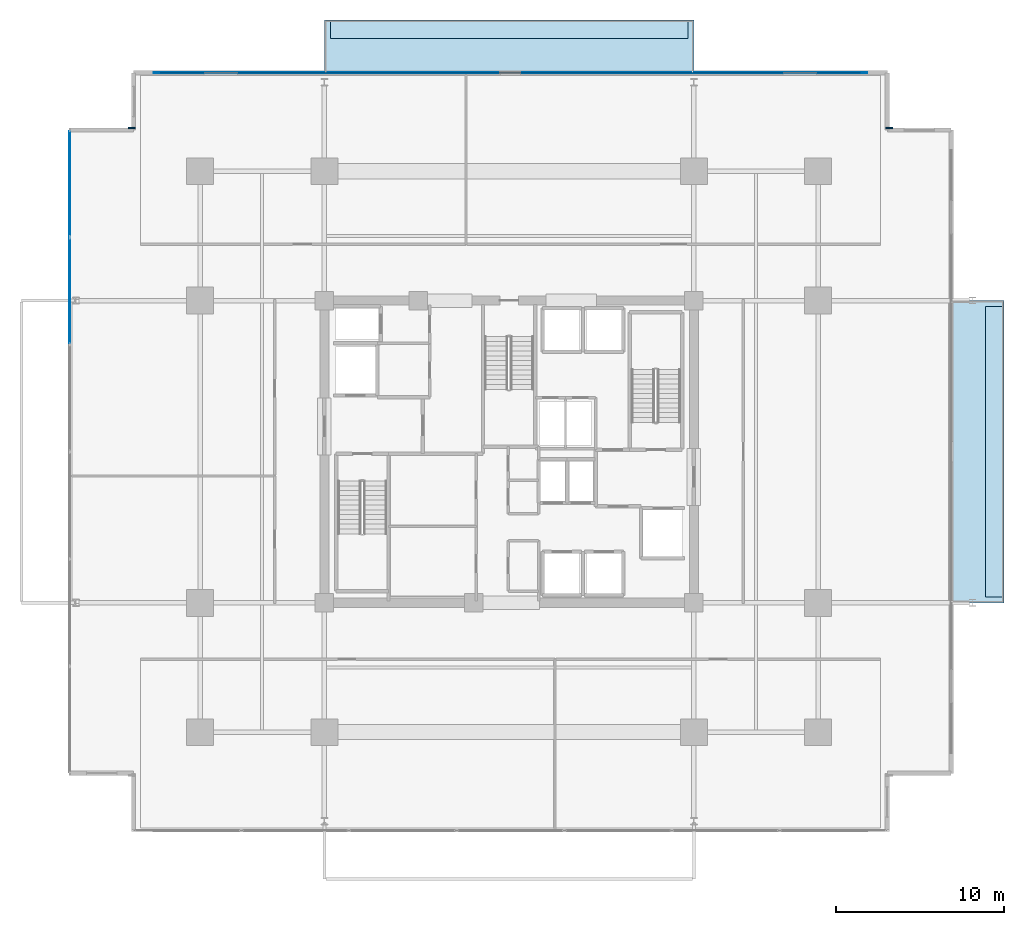
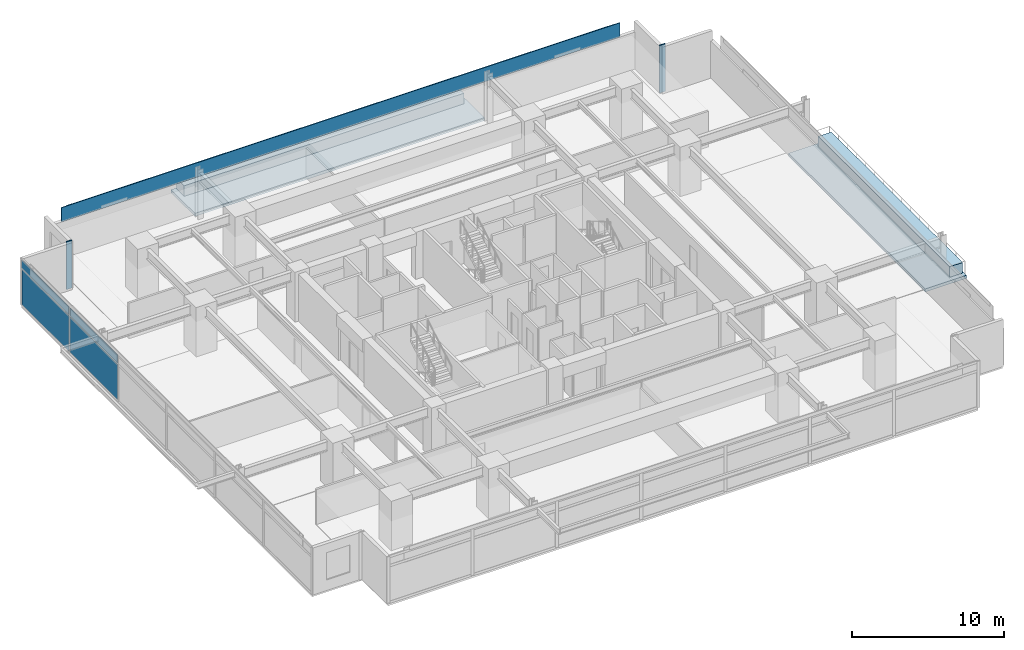
# One storey, part 15 of 24: 8 plates, 4 slabs, 1 element without a shape of its own.
"""IFC4 building model written with IfcOpenShell, lengths in metres."""

import ifcopenshell
import ifcopenshell.guid

model = None  # the IFC model being written
_history = None  # IfcOwnerHistory: only IFC2X3 demands one
_inside = {}  # id of a spatial element -> (the spatial element, [elements in it])
_under = {}  # id of a project, library or spatial element -> (it, [spatial elements below it])
_declared = {}  # id of a project -> (the project, [libraries it declares])
_typed = {}  # id of a type object -> (the type object, [elements of that type])
_made_of = {}  # id of a material, layer set ... -> (it, [elements and type objects made of it])


def new_model(schema):
    """Start an empty IFC model of exactly this schema.

    Asked for "IFC4X3", IfcOpenShell would pick the latest addendum, in which some entities
    have other attributes; the version numbers below select the first issue.
    IFC2X3 requires an IfcOwnerHistory on every rooted entity: one is made here for all.
    """
    global model, _history
    if schema == "IFC4X3":
        model = ifcopenshell.file(schema_version=(4, 3, 0, 0))
    else:
        model = ifcopenshell.file(schema=schema)
    _inside.clear()
    _under.clear()
    _declared.clear()
    _typed.clear()
    _made_of.clear()
    _history = None
    if model.schema == "IFC2X3":
        org = make("IfcOrganization", Name="unknown")
        user = make(
            "IfcPersonAndOrganization",
            ThePerson=make("IfcPerson", FamilyName="unknown"),
            TheOrganization=org,
        )
        app = make(
            "IfcApplication",
            ApplicationDeveloper=org,
            Version="unknown",
            ApplicationFullName="unknown",
            ApplicationIdentifier="unknown",
        )
        _history = make(
            "IfcOwnerHistory",
            OwningUser=user,
            OwningApplication=app,
            ChangeAction="ADDED",
            CreationDate=0,
        )
    return model


def make(cls, **values):
    """One entity of the class cls with the attributes given. An attribute that is None is left unset."""
    return model.create_entity(
        cls, **{name: value for name, value in values.items() if value is not None}
    )


def rooted(cls, **values):
    """An entity with a GlobalId (a new one), such as an element, a storey or a relation."""
    return make(cls, GlobalId=ifcopenshell.guid.new(), OwnerHistory=_history, **values)


def si_unit(unit_type, name, prefix=None):
    """IfcSIUnit, for example si_unit("LENGTHUNIT", "METRE", prefix="MILLI")."""
    return make("IfcSIUnit", UnitType=unit_type, Prefix=prefix, Name=name)


def assignment(units):
    """IfcUnitAssignment: the units of a project."""
    return None if units is None else make("IfcUnitAssignment", Units=units)


def point(xyz):
    """IfcCartesianPoint."""
    return None if xyz is None else make("IfcCartesianPoint", Coordinates=xyz)


def direction(xyz):
    """IfcDirection."""
    return None if xyz is None else make("IfcDirection", DirectionRatios=xyz)


def frame(location, z_axis=None, x_axis=None):
    """IfcAxis2Placement3D, a coordinate frame: its origin and axes. An axis left out is left unset."""
    return make(
        "IfcAxis2Placement3D",
        Location=point(location),
        Axis=direction(z_axis),
        RefDirection=direction(x_axis),
    )


def frame_2d(location, x_axis=None):
    """IfcAxis2Placement2D, a coordinate frame in the plane: its origin and x axis."""
    return make(
        "IfcAxis2Placement2D", Location=point(location), RefDirection=direction(x_axis)
    )


def origin():
    """The frame at (0, 0, 0) with its axes left unset."""
    return frame((0.0, 0.0, 0.0))


def origin_2d():
    """The frame at (0, 0) in the plane with its x axis left unset."""
    return frame_2d((0.0, 0.0))


def place(relative_to, where):
    """IfcLocalPlacement: puts the frame where relative to a parent placement (None: the world)."""
    return make(
        "IfcLocalPlacement", PlacementRelTo=relative_to, RelativePlacement=where
    )


def context(
    kind, dimensions, precision=None, world=None, true_north=None, identifier=None
):
    """IfcGeometricRepresentationContext, for example the 3D "Model" context."""
    return make(
        "IfcGeometricRepresentationContext",
        ContextIdentifier=identifier,
        ContextType=kind,
        CoordinateSpaceDimension=dimensions,
        Precision=precision,
        WorldCoordinateSystem=world,
        TrueNorth=true_north,
    )


def subcontext(parent, identifier, kind, view, scale=None):
    """IfcGeometricRepresentationSubContext, for example "Body" below "Model"."""
    return make(
        "IfcGeometricRepresentationSubContext",
        ContextIdentifier=identifier,
        ContextType=kind,
        ParentContext=parent,
        TargetScale=scale,
        TargetView=view,
    )


def project(units=None, contexts=None):
    """IfcProject with its units and contexts."""
    return rooted(
        "IfcProject",
        Name="project",
        RepresentationContexts=contexts,
        UnitsInContext=assignment(units),
    )


def spatial(cls, under=None, at=None, **own):
    """A site, building, storey or space (cls), placed at a placement, below another one or the project."""
    s = rooted(cls, ObjectPlacement=at, **own)
    if under is not None:
        _under.setdefault(under.id(), (under, []))[1].append(s)
    return s


def polyline(points):
    """IfcPolyline through the points."""
    return make("IfcPolyline", Points=[point(p) for p in points])


def profile(cls, at=None, kind="AREA", **sizes):
    """A parametric profile (cls). Its sizes go by their IFC names, for example OverallWidth=200.0."""
    return make(cls, ProfileType=kind, Position=at, **sizes)


def rectangle(**sizes):
    """IfcRectangleProfileDef."""
    return profile("IfcRectangleProfileDef", **sizes)


def outline(outer, holes=None, kind="AREA"):
    """IfcArbitraryClosedProfileDef: a profile drawn as a closed curve; with holes, ...WithVoids."""
    if holes is None:
        return make("IfcArbitraryClosedProfileDef", ProfileType=kind, OuterCurve=outer)
    return make(
        "IfcArbitraryProfileDefWithVoids",
        ProfileType=kind,
        OuterCurve=outer,
        InnerCurves=holes,
    )


def extrude(swept, where, along, depth):
    """IfcExtrudedAreaSolid: the profile swept, set in the frame where, extruded along a direction by depth."""
    return make(
        "IfcExtrudedAreaSolid",
        SweptArea=swept,
        Position=where,
        ExtrudedDirection=direction(along),
        Depth=depth,
    )


def shape(context_of_items, identifier, shape_type, items):
    """IfcShapeRepresentation: the items that make up one representation, for example the "Body"."""
    return make(
        "IfcShapeRepresentation",
        ContextOfItems=context_of_items,
        RepresentationIdentifier=identifier,
        RepresentationType=shape_type,
        Items=items,
    )


def material(Name=None, Category=None):
    """IfcMaterial."""
    return make("IfcMaterial", Name=Name, Category=Category)


def layer(
    of_material, thickness, ventilated=None, Name=None, Category=None, Priority=None
):
    """IfcMaterialLayer: one layer of a wall or slab, of a material (None: an air gap)."""
    return make(
        "IfcMaterialLayer",
        Material=of_material,
        LayerThickness=thickness,
        IsVentilated=ventilated,
        Name=Name,
        Category=Category,
        Priority=Priority,
    )


def layer_set(layers, Name=None):
    """IfcMaterialLayerSet."""
    return make("IfcMaterialLayerSet", MaterialLayers=layers, LayerSetName=Name)


def made_of(thing, what):
    """Note that an element or type object is made of a material, layer set ...; save() writes the relation."""
    if what is not None:
        _made_of.setdefault(what.id(), (what, []))[1].append(thing)
    return thing


def type_object(cls, material=None, **own):
    """A type object (cls), such as IfcWallType, which elements share."""
    return made_of(rooted(cls, **own), material)


def element(
    cls,
    number,
    at=None,
    inside=None,
    cuts=None,
    type_object=None,
    material=None,
    context=None,
    identifier="Body",
    shape_type=None,
    held_by="IfcProductDefinitionShape",
    body=None,
    shapes=None,
    **own,
):
    """One element of the class cls, such as IfcWall. Its Tag is "e" and its number.

    at: its placement. inside: the storey or other place that contains it. cuts: it is an
    opening in that element (IfcRelVoidsElement). A single representation is given by context,
    identifier, shape_type and body (its items); several are given by shapes. held_by: the class
    of the entity that holds the representations. save() writes the other relations.
    """
    e = rooted(cls, Tag="e%d" % number, ObjectPlacement=at, **own)
    if body is not None:
        shapes = [shape(context, identifier, shape_type, body)]
    if shapes is not None:
        e.Representation = make(held_by, Representations=shapes)
    if inside is not None:
        _inside.setdefault(inside.id(), (inside, []))[1].append(e)
    if cuts is not None:
        rooted(
            "IfcRelVoidsElement", RelatingBuildingElement=cuts, RelatedOpeningElement=e
        )
    if type_object is not None:
        _typed.setdefault(type_object.id(), (type_object, []))[1].append(e)
    return made_of(e, material)


def aggregate(whole, parts):
    """IfcRelAggregates: a whole, such as a stair, and the parts it consists of."""
    return rooted("IfcRelAggregates", RelatingObject=whole, RelatedObjects=parts)


def save(model, path):
    """Write the relations noted so far, then the file.

    IfcRelAggregates (storeys below a building ...), IfcRelContainedInSpatialStructure (elements
    in a storey), IfcRelDefinesByType, IfcRelAssociatesMaterial and IfcRelDeclares: one each for
    every whole, place, type object, material and project.
    """
    for whole, parts in _under.values():
        aggregate(whole, parts)
    for where, things in _inside.values():
        rooted(
            "IfcRelContainedInSpatialStructure",
            RelatedElements=things,
            RelatingStructure=where,
        )
    for kind, things in _typed.values():
        rooted("IfcRelDefinesByType", RelatedObjects=things, RelatingType=kind)
    for what, things in _made_of.values():
        rooted("IfcRelAssociatesMaterial", RelatedObjects=things, RelatingMaterial=what)
    for by, libraries in _declared.values():
        rooted("IfcRelDeclares", RelatingContext=by, RelatedDefinitions=libraries)
    model.write(path)


model = new_model("IFC4")

# Units and contexts
model_context = context("Model", 3, precision=1e-05, world=origin(), true_north=direction((0.0, 1.0)))
body_context = subcontext(model_context, "Body", "Model", "MODEL_VIEW")
ifc_project = project(units=[si_unit("LENGTHUNIT", "METRE"), si_unit("AREAUNIT", "SQUARE_METRE"), si_unit("VOLUMEUNIT", "CUBIC_METRE"), si_unit("PLANEANGLEUNIT", "RADIAN"), si_unit("MASSUNIT", "GRAM", prefix="KILO")], contexts=[model_context])

# Site, building, storey
site_placement = place(None, origin())
site = spatial("IfcSite", under=ifc_project, at=site_placement, CompositionType="ELEMENT")
building_placement = place(site_placement, origin())
building = spatial("IfcBuilding", under=site, at=building_placement, Name="Kovane Verandah Tower", CompositionType="ELEMENT")
storey_placement = place(building_placement, frame((0.0, 0.0, 132.39990234375)))
storey = spatial("IfcBuildingStorey", under=building, at=storey_placement, Name="L30", CompositionType="ELEMENT", Elevation=132.39990234375)

# Curtain wall, plates
ifc_material_1 = material(Name="Champagne Anodised Aluminium Frame with Low-E Clear Laminated Glass", Category="aluminium")
curtain_wall_type = type_object("IfcCurtainWallType", Name="CW-SYS-03-MID", PredefinedType="NOTDEFINED", material=ifc_material_1)
curtain_wall_placement = place(storey_placement, origin())
curtain_wall = element("IfcCurtainWall", 1, at=curtain_wall_placement, inside=storey, type_object=curtain_wall_type, Name="L30 W Unitised Curtain Wall", PredefinedType="NOTDEFINED")
ifc_material_2 = material(Name="Pale Champagne Anodised Aluminium Insulated Spandrel", Category="aluminium")
ifc_layer_1 = layer(ifc_material_2, 0.0400390625)
ifc_layer_set_1 = layer_set([ifc_layer_1], Name="Pale Champagne Anodised Aluminium Insulated Spandrel")
plate_type_1 = type_object("IfcPlateType", Name="PL-CW-SPD-40", PredefinedType="SHEET", material=ifc_layer_set_1)
plate_1_placement = place(storey_placement, frame((13.837646484375, 43.46142578125, 3.044921875), z_axis=(0.0, 0.0, 1.0), x_axis=(0.0, -1.0, 0.0)))
plate_1 = element("IfcPlate", 2, at=plate_1_placement, type_object=plate_type_1, Name="L30 W Unitised Curtain Wall Spandrel Panel 1", PredefinedType="SHEET", context=body_context, shape_type="SweptSolid", body=[
    extrude(rectangle(XDim=6.24462890625, YDim=0.0400390625, at=origin_2d()), origin(), (0.0, 0.0, 1.0), 0.639892578125),
])
plate_2_placement = place(storey_placement, frame((13.837646484375, 37.076904296875, 3.044921875), z_axis=(0.0, 0.0, 1.0), x_axis=(0.0, -1.0, 0.0)))
plate_2 = element("IfcPlate", 3, at=plate_2_placement, type_object=plate_type_1, Name="L30 W Unitised Curtain Wall Spandrel Panel 2", PredefinedType="SHEET", context=body_context, shape_type="SweptSolid", body=[
    extrude(rectangle(XDim=6.24462890625, YDim=0.0400390625, at=origin_2d()), origin(), (0.0, 0.0, 1.0), 0.639892578125),
])
ifc_material_3 = material(Name="Clear Low-E Laminated Double Glazing", Category="glass")
ifc_layer_2 = layer(ifc_material_3, 0.031982421875)
ifc_layer_set_2 = layer_set([ifc_layer_2], Name="Clear Low-E Laminated Double Glazing")
plate_type_2 = type_object("IfcPlateType", Name="PL-CW-VIS-32", PredefinedType="CURTAIN_PANEL", material=ifc_layer_set_2)
plate_3_placement = place(storey_placement, frame((13.837646484375, 43.46142578125, 0.10009765625), z_axis=(0.0, 0.0, 1.0), x_axis=(0.0, -1.0, 0.0)))
plate_3 = element("IfcPlate", 4, at=plate_3_placement, type_object=plate_type_2, Name="L30 W Unitised Curtain Wall Vision Panel 1", PredefinedType="CURTAIN_PANEL", context=body_context, shape_type="SweptSolid", body=[
    extrude(rectangle(XDim=6.24462890625, YDim=0.031982421875, at=origin_2d()), origin(), (0.0, 0.0, 1.0), 2.844970703125),
])
plate_4_placement = place(storey_placement, frame((13.837646484375, 37.076904296875, 0.10009765625), z_axis=(0.0, 0.0, 1.0), x_axis=(0.0, -1.0, 0.0)))
plate_4 = element("IfcPlate", 5, at=plate_4_placement, type_object=plate_type_2, Name="L30 W Unitised Curtain Wall Vision Panel 2", PredefinedType="CURTAIN_PANEL", context=body_context, shape_type="SweptSolid", body=[
    extrude(rectangle(XDim=6.24462890625, YDim=0.031982421875, at=origin_2d()), origin(), (0.0, 0.0, 1.0), 2.844970703125),
])
aggregate(curtain_wall, [plate_3, plate_1, plate_4, plate_2])

# Plates
ifc_material_4 = material(Name="Timber-Toned Subtropical Aluminium Vertical Blade", Category="wood")
ifc_layer_3 = layer(ifc_material_4, 0.090087890625)
ifc_layer_set_3 = layer_set([ifc_layer_3], Name="Timber-Toned Subtropical Aluminium Vertical Blade")
plate_type_3 = type_object("IfcPlateType", Name="PL-FIN-90", PredefinedType="USERDEFINED", material=ifc_layer_set_3)
for number, where, z_axis, x_axis, name in (
    (6, (62.634033203125, 46.773681640625, -0.019775390625), (0.0, 0.0, 1.0), (1.0, 0.0, 0.0), "L30 NE Timber-Toned Vertical Corner Fin"),
    (7, (17.517578125, 46.773681640625, -0.019775390625), (0.0, 0.0, 1.0), (1.0, 0.0, 0.0), "L30 NW Timber-Toned Vertical Corner Fin"),
):
    element("IfcPlate", number, at=place(storey_placement, frame(where, z_axis=z_axis, x_axis=x_axis)), inside=storey, type_object=plate_type_3, Name=name, ObjectType="FIN", PredefinedType="USERDEFINED", context=body_context, shape_type="SweptSolid", body=[
        extrude(rectangle(XDim=0.419921875, YDim=0.090087890625, at=origin_2d()), origin(), (0.0, 0.0, 1.0), 3.8349609375),
    ])
ifc_material_5 = material(Name="Perforated Pale Champagne Anodised Aluminium Solar Screen", Category="aluminium")
ifc_layer_4 = layer(ifc_material_5, 0.050048828125)
ifc_layer_set_4 = layer_set([ifc_layer_4], Name="Perforated Pale Champagne Anodised Aluminium Solar Screen")
plate_type_4 = type_object("IfcPlateType", Name="PL-SCREEN-50", PredefinedType="USERDEFINED", material=ifc_layer_set_4)
plate_5_placement = place(storey_placement, frame((40.075927734375, 50.068603515625, 2.875244140625), z_axis=(0.0, 0.0, 1.0), x_axis=(-1.0, 0.0, 0.0)))
element("IfcPlate", 8, at=plate_5_placement, inside=storey, type_object=plate_type_4, Name="L30 N Perforated Champagne-Gold Solar Screen", ObjectType="SCREEN", PredefinedType="USERDEFINED", context=body_context, shape_type="SweptSolid", body=[
    extrude(rectangle(XDim=42.47705078125, YDim=0.050048828125, at=origin_2d()), origin(), (0.0, 0.0, 1.0), 1.14990234375),
])
ifc_material_6 = material(Name="Extruded Pale-Bronze Aluminium Aerofoil Sunshade", Category="aluminium")
ifc_layer_5 = layer(ifc_material_6, 0.06005859375)
ifc_layer_set_5 = layer_set([ifc_layer_5], Name="Extruded Pale-Bronze Aluminium Aerofoil Sunshade")
plate_type_5 = type_object("IfcPlateType", Name="PL-SUNSHADE-60", PredefinedType="USERDEFINED", material=ifc_layer_set_5)
plate_6_placement = place(storey_placement, frame((40.075927734375, 50.07373046875, 3.7548828125), z_axis=(0.0, 0.0, 1.0), x_axis=(-1.0, 0.0, 0.0)))
element("IfcPlate", 9, at=plate_6_placement, inside=storey, type_object=plate_type_5, Name="L30 N Subtropical Aerofoil Sunshade", ObjectType="SUNSHADE", PredefinedType="USERDEFINED", context=body_context, shape_type="SweptSolid", body=[
    extrude(rectangle(XDim=41.676025390625, YDim=0.06005859375, at=origin_2d()), origin(), (0.0, 0.0, 1.0), 0.280029296875),
])

# Slabs
ifc_material_7 = material(Name="Concrete C45/55", Category="concrete")
ifc_layer_6 = layer(ifc_material_7, 0.239990234375)
ifc_layer_set_6 = layer_set([ifc_layer_6], Name="Concrete C45/55")
slab_type_1 = type_object("IfcSlabType", Name="SL-BALC-240", PredefinedType="FLOOR", material=ifc_layer_set_6)
slab_1_placement = place(storey_placement, frame((0.0, 0.0, -0.239990234375)))
element("IfcSlab", 10, at=slab_1_placement, inside=storey, type_object=slab_type_1, Name="L30 N Planted Verandah Balcony Slab", PredefinedType="FLOOR", context=body_context, shape_type="SweptSolid", body=[
    extrude(outline(polyline([(29.0, 50.0537109375), (51.0, 50.0537109375), (51.0, 53.20361328125), (29.0, 53.20361328125), (29.0, 50.0537109375)])), origin(), (0.0, 0.0, 1.0), 0.239990234375),
])
slab_2_placement = place(storey_placement, frame((0.0, 0.0, -0.239990234375)))
element("IfcSlab", 11, at=slab_2_placement, inside=storey, type_object=slab_type_1, Name="L30 E Planted Verandah Balcony Slab", PredefinedType="FLOOR", context=body_context, shape_type="SweptSolid", body=[
    extrude(outline(polyline([(66.314208984375, 18.5), (69.464111328125, 18.5), (69.464111328125, 36.5), (66.314208984375, 36.5), (66.314208984375, 18.5)])), origin(), (0.0, 0.0, 1.0), 0.239990234375),
])
ifc_material_8 = material(Name="Architectural Precast Concrete C45/55 Planter Trough", Category="concrete")
ifc_layer_7 = layer(ifc_material_8, 0.219970703125)
ifc_layer_set_7 = layer_set([ifc_layer_7], Name="Architectural Precast Concrete C45/55 Planter Trough")
slab_type_2 = type_object("IfcSlabType", Name="SL-PLANTER-220", PredefinedType="USERDEFINED", material=ifc_layer_set_7)
slab_3_placement = place(storey_placement, origin())
element("IfcSlab", 12, at=slab_3_placement, inside=storey, type_object=slab_type_2, Name="L30 N Structural Tree Planter", ObjectType="PLANTER", PredefinedType="USERDEFINED", context=body_context, shape_type="SweptSolid", body=[
    extrude(outline(polyline([(29.35009765625, 52.103759765625), (50.64990234375, 52.103759765625), (50.64990234375, 53.103759765625), (29.35009765625, 53.103759765625), (29.35009765625, 52.103759765625)])), origin(), (0.0, 0.0, 1.0), 0.85009765625),
])
slab_4_placement = place(storey_placement, origin())
element("IfcSlab", 13, at=slab_4_placement, inside=storey, type_object=slab_type_2, Name="L30 E Structural Tree Planter", ObjectType="PLANTER", PredefinedType="USERDEFINED", context=body_context, shape_type="SweptSolid", body=[
    extrude(outline(polyline([(68.364013671875, 18.85009765625), (69.364013671875, 18.85009765625), (69.364013671875, 36.14990234375), (68.364013671875, 36.14990234375), (68.364013671875, 18.85009765625)])), origin(), (0.0, 0.0, 1.0), 0.85009765625),
])

save(model, "model.ifc")
